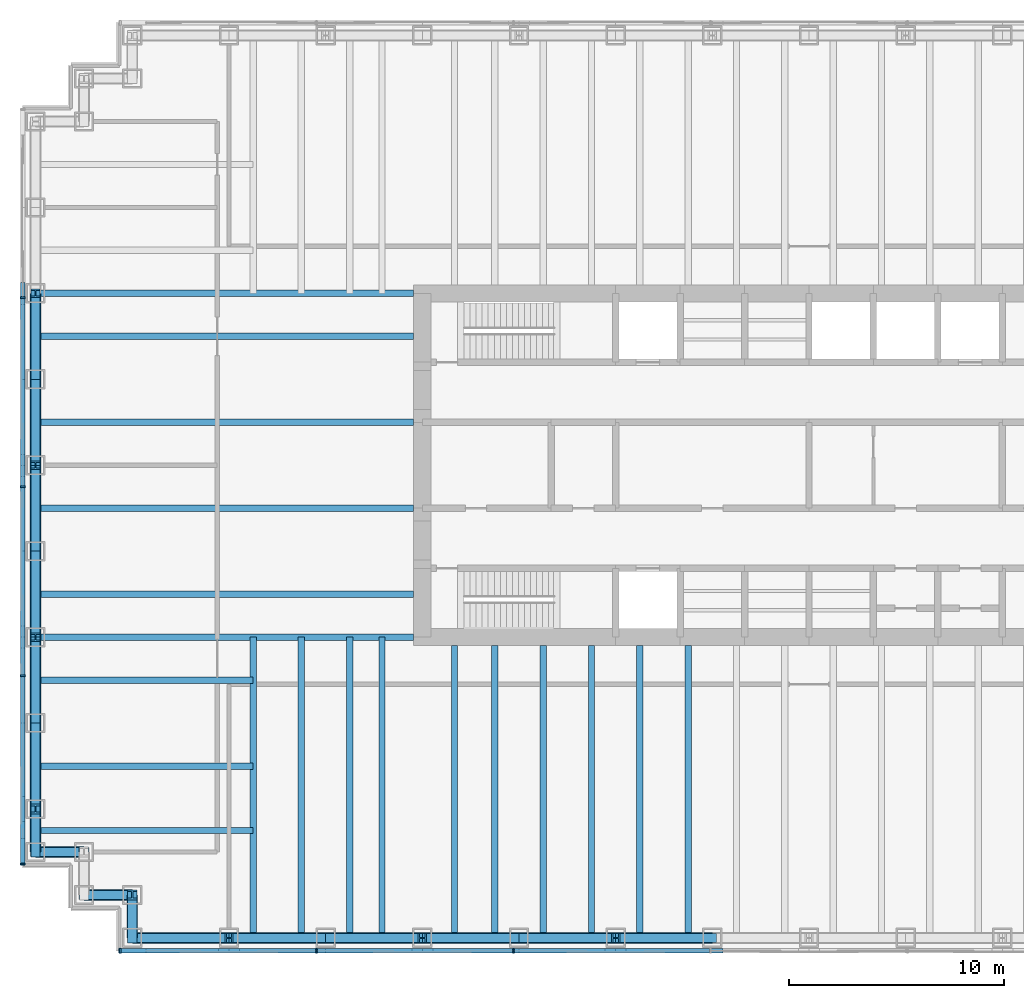
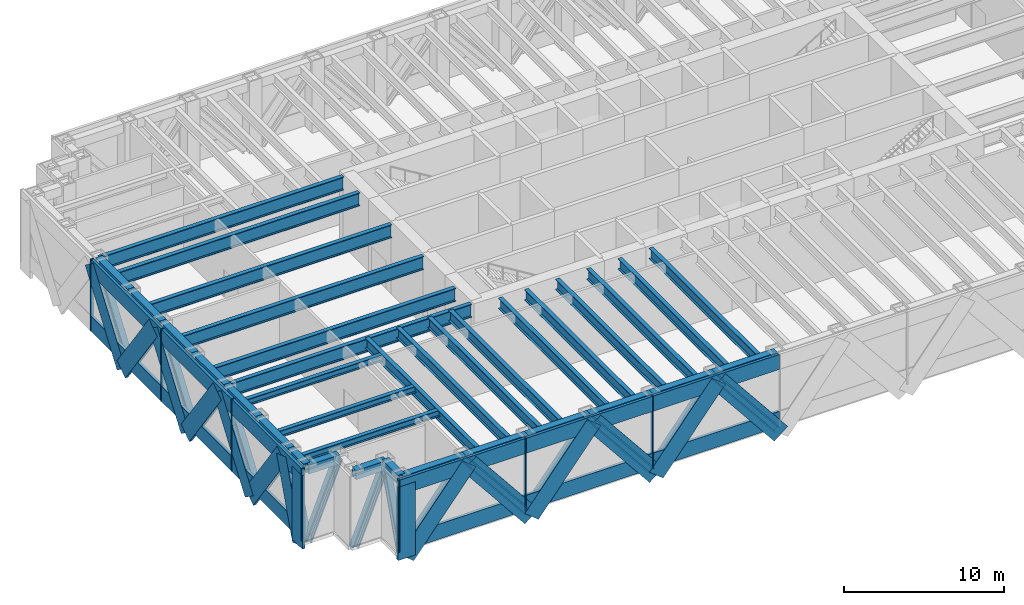
# One storey, part 2 of 17: 50 members, 35 beams, 2 elements without a shape of their own.
"""IFC4 building model written with IfcOpenShell, lengths in metres."""

from ifc_helpers import new_model, si_unit, direction, frame, origin, origin_2d, place, context, subcontext, project, spatial, rectangle, hollow_rectangle, i_section, extrude, material, material_profile, profile_set, type_object, element, aggregate, save


model = new_model("IFC4")

# Units and contexts
model_context = context("Model", 3, precision=1e-05, world=origin(), true_north=direction((0.0, 1.0)))
body_context = subcontext(model_context, "Body", "Model", "MODEL_VIEW")
ifc_project = project(units=[si_unit("LENGTHUNIT", "METRE"), si_unit("AREAUNIT", "SQUARE_METRE"), si_unit("VOLUMEUNIT", "CUBIC_METRE"), si_unit("PLANEANGLEUNIT", "RADIAN"), si_unit("MASSUNIT", "GRAM", prefix="KILO")], contexts=[model_context])

# Site, building, storey
site_placement = place(None, origin())
site = spatial("IfcSite", under=ifc_project, at=site_placement, CompositionType="ELEMENT")
building_placement = place(site_placement, origin())
building = spatial("IfcBuilding", under=site, at=building_placement, Name="Rheinbord Bourse Tower", CompositionType="ELEMENT")
storey_placement = place(building_placement, frame((0.0, 0.0, 265.60009765625)))
storey = spatial("IfcBuildingStorey", under=building, at=storey_placement, Name="L60", CompositionType="ELEMENT", Elevation=265.60009765625)

# Beams
ifc_material_1 = material(Name="Steel S460M", Category="steel")
ifc_material_profile_1 = material_profile(ifc_material_1, hollow_rectangle(XDim=0.5, YDim=0.699951171875, WallThickness=0.0400390625, at=origin_2d()), Name="BOX 700x500x40")
ifc_profile_set_1 = profile_set([ifc_material_profile_1], Name="Steel S460M")
beam_type_1 = type_object("IfcBeamType", Name="BELT CHORD BOX 700x500x40", PredefinedType="SPANDREL", material=ifc_profile_set_1)
for number, where, z_axis, x_axis, name in (
    (1, (4.5, 2.0, 4.989990234375), (1.0, 0.0, 0.0), (0.0, 1.0, 0.0), "Spandrel SW-E-S-9 under L61"),
    (2, (9.0, 2.0, 4.989990234375), (1.0, 0.0, 0.0), (0.0, 1.0, 0.0), "Spandrel S-9-S-13.5 under L61"),
    (3, (13.5, 2.0, 4.989990234375), (1.0, 0.0, 0.0), (0.0, 1.0, 0.0), "Spandrel S-13.5-S-18 under L61"),
    (4, (18.0, 2.0, 4.989990234375), (1.0, 0.0, 0.0), (0.0, 1.0, 0.0), "Spandrel S-18-S-22.5 under L61"),
    (5, (22.5, 2.0, 4.989990234375), (1.0, 0.0, 0.0), (0.0, 1.0, 0.0), "Spandrel S-22.5-S-27 under L61"),
    (6, (27.0, 2.0, 4.989990234375), (1.0, 0.0, 0.0), (0.0, 1.0, 0.0), "Spandrel S-27-S-31.5 under L61"),
):
    element("IfcBeam", number, at=place(storey_placement, frame(where, z_axis=z_axis, x_axis=x_axis)), inside=storey, type_object=beam_type_1, Name=name, PredefinedType="SPANDREL", context=body_context, shape_type="SweptSolid", body=[
        extrude(hollow_rectangle(XDim=0.5, YDim=0.699951171875, WallThickness=0.0400390625, at=origin_2d()), origin(), (0.0, 0.0, 1.0), 4.5),
    ])
for number, where, z_axis, x_axis, name in (
    (7, (0.0, 32.0, 4.989990234375), (0.0, -1.0, 0.0), (1.0, 0.0, 0.0), "Spandrel W-32-W-28 under L61"),
    (8, (0.0, 28.0, 4.989990234375), (0.0, -1.0, 0.0), (1.0, 0.0, 0.0), "Spandrel W-28-W-24 under L61"),
    (9, (0.0, 24.0, 4.989990234375), (0.0, -1.0, 0.0), (1.0, 0.0, 0.0), "Spandrel W-24-W-20 under L61"),
    (10, (0.0, 20.0, 4.989990234375), (0.0, -1.0, 0.0), (1.0, 0.0, 0.0), "Spandrel W-20-W-16 under L61"),
    (11, (0.0, 16.0, 4.989990234375), (0.0, -1.0, 0.0), (1.0, 0.0, 0.0), "Spandrel W-16-W-12 under L61"),
    (12, (0.0, 12.0, 4.989990234375), (0.0, -1.0, 0.0), (1.0, 0.0, 0.0), "Spandrel W-12-W-8 under L61"),
):
    element("IfcBeam", number, at=place(storey_placement, frame(where, z_axis=z_axis, x_axis=x_axis)), inside=storey, type_object=beam_type_1, Name=name, PredefinedType="SPANDREL", context=body_context, shape_type="SweptSolid", body=[
        extrude(hollow_rectangle(XDim=0.5, YDim=0.699951171875, WallThickness=0.0400390625, at=origin_2d()), origin(), (0.0, 0.0, 1.0), 4.0),
    ])
beam_1_placement = place(storey_placement, frame((0.0, 8.0, 4.989990234375), z_axis=(0.0, -1.0, 0.0), x_axis=(1.0, 0.0, 0.0)))
element("IfcBeam", 13, at=beam_1_placement, inside=storey, type_object=beam_type_1, Name="Spandrel W-8-SW-A under L61", PredefinedType="SPANDREL", context=body_context, shape_type="SweptSolid", body=[
    extrude(hollow_rectangle(XDim=0.5, YDim=0.699951171875, WallThickness=0.0400390625, at=origin_2d()), origin(), (0.0, 0.0, 1.0), 2.0),
])
for number, where, z_axis, x_axis, name in (
    (14, (0.0, 6.0, 4.989990234375), (1.0, 0.0, 0.0), (0.0, 1.0, 0.0), "Spandrel SW-A-SW-B under L61"),
    (15, (2.25, 4.0, 4.989990234375), (1.0, 0.0, 0.0), (0.0, 1.0, 0.0), "Spandrel SW-C-SW-D under L61"),
):
    element("IfcBeam", number, at=place(storey_placement, frame(where, z_axis=z_axis, x_axis=x_axis)), inside=storey, type_object=beam_type_1, Name=name, PredefinedType="SPANDREL", context=body_context, shape_type="SweptSolid", body=[
        extrude(hollow_rectangle(XDim=0.5, YDim=0.699951171875, WallThickness=0.0400390625, at=origin_2d()), origin(), (0.0, 0.0, 1.0), 2.25),
    ])
beam_2_placement = place(storey_placement, frame((4.5, 4.0, 4.989990234375), z_axis=(0.0, -1.0, 0.0), x_axis=(1.0, 0.0, 0.0)))
element("IfcBeam", 16, at=beam_2_placement, inside=storey, type_object=beam_type_1, Name="Spandrel SW-D-SW-E under L61", PredefinedType="SPANDREL", context=body_context, shape_type="SweptSolid", body=[
    extrude(hollow_rectangle(XDim=0.5, YDim=0.699951171875, WallThickness=0.0400390625, at=origin_2d()), origin(), (0.0, 0.0, 1.0), 2.0),
])

# Members
ifc_material_2 = material(Name="Steel S460", Category="steel")
ifc_material_profile_2 = material_profile(ifc_material_2, i_section(OverallWidth=0.431884765625, OverallDepth=0.498046875, WebThickness=0.0556640625, FlangeThickness=0.0888671875, at=origin_2d()), Name="HD 400x744")
ifc_profile_set_2 = profile_set([ifc_material_profile_2], Name="Steel S460")
member_type_1 = type_object("IfcMemberType", Name="BELT DIAGONAL HD 400x744", PredefinedType="STRUT", material=ifc_profile_set_2)
for number, where, z_axis, x_axis, name in (
    (17, (4.5, 2.0, -0.60009765625), (0.627065297878, 0.0, 0.778966695178), (0.0, 1.0, 0.0), "Belt truss diagonal SW-E-S-9 L60"),
    (18, (13.5, 2.0, -0.60009765625), (-0.627065297878, 0.0, 0.778966695178), (0.0, -1.0, 0.0), "Belt truss diagonal S-9-S-13.5 L60"),
    (19, (13.5, 2.0, -0.60009765625), (0.627065297878, 0.0, 0.778966695178), (0.0, 1.0, 0.0), "Belt truss diagonal S-13.5-S-18 L60"),
    (20, (22.5, 2.0, -0.60009765625), (-0.627065297878, 0.0, 0.778966695178), (0.0, -1.0, 0.0), "Belt truss diagonal S-18-S-22.5 L60"),
    (21, (22.5, 2.0, -0.60009765625), (0.627065297878, 0.0, 0.778966695178), (0.0, 1.0, 0.0), "Belt truss diagonal S-22.5-S-27 L60"),
    (22, (31.5, 2.0, -0.60009765625), (-0.627065297878, 0.0, 0.778966695178), (0.0, -1.0, 0.0), "Belt truss diagonal S-27-S-31.5 L60"),
):
    element("IfcMember", number, at=place(storey_placement, frame(where, z_axis=z_axis, x_axis=x_axis)), inside=storey, type_object=member_type_1, Name=name, PredefinedType="STRUT", context=body_context, shape_type="SweptSolid", body=[
        extrude(i_section(OverallWidth=0.431884765625, OverallDepth=0.498046875, WebThickness=0.0556640625, FlangeThickness=0.0888671875, at=origin_2d()), origin(), (0.0, 0.0, 1.0), 7.17626953125),
    ])
for number, where, z_axis, x_axis, name in (
    (23, (0.0, 28.0, -0.60009765625), (0.0, 0.581920023079, 0.813246018582), (-1.0, 0.0, 0.0), "Belt truss diagonal W-32-W-28 L60"),
    (24, (0.0, 28.0, -0.60009765625), (0.0, -0.581920023079, 0.813246018582), (1.0, 0.0, 0.0), "Belt truss diagonal W-28-W-24 L60"),
    (25, (0.0, 20.0, -0.60009765625), (0.0, 0.581920023079, 0.813246018582), (-1.0, 0.0, 0.0), "Belt truss diagonal W-24-W-20 L60"),
    (26, (0.0, 20.0, -0.60009765625), (0.0, -0.581920023079, 0.813246018582), (1.0, 0.0, 0.0), "Belt truss diagonal W-20-W-16 L60"),
    (27, (0.0, 12.0, -0.60009765625), (0.0, 0.581920023079, 0.813246018582), (-1.0, 0.0, 0.0), "Belt truss diagonal W-16-W-12 L60"),
    (28, (0.0, 12.0, -0.60009765625), (0.0, -0.581920023079, 0.813246018582), (1.0, 0.0, 0.0), "Belt truss diagonal W-12-W-8 L60"),
):
    element("IfcMember", number, at=place(storey_placement, frame(where, z_axis=z_axis, x_axis=x_axis)), inside=storey, type_object=member_type_1, Name=name, PredefinedType="STRUT", context=body_context, shape_type="SweptSolid", body=[
        extrude(i_section(OverallWidth=0.431884765625, OverallDepth=0.498046875, WebThickness=0.0556640625, FlangeThickness=0.0888671875, at=origin_2d()), origin(), (0.0, 0.0, 1.0), 6.873779296875),
    ])
member_1_placement = place(storey_placement, frame((0.0, 6.0, -0.60009765625), z_axis=(0.0, 0.336865151883, 0.941552903159), x_axis=(-1.0, 0.0, 0.0)))
element("IfcMember", 29, at=member_1_placement, inside=storey, type_object=member_type_1, Name="Belt truss diagonal W-8-SW-A L60", PredefinedType="STRUT", context=body_context, shape_type="SweptSolid", body=[
    extrude(i_section(OverallWidth=0.431884765625, OverallDepth=0.498046875, WebThickness=0.0556640625, FlangeThickness=0.0888671875, at=origin_2d()), origin(), (0.0, 0.0, 1.0), 5.93701171875),
])
for number, where, z_axis, x_axis, name in (
    (30, (0.0, 6.0, -0.60009765625), (0.37338763268, 0.0, 0.92767541509), (0.0, 1.0, 0.0), "Belt truss diagonal SW-A-SW-B L60"),
    (31, (2.25, 4.0, -0.60009765625), (0.37338763268, 0.0, 0.92767541509), (0.0, 1.0, 0.0), "Belt truss diagonal SW-C-SW-D L60"),
):
    element("IfcMember", number, at=place(storey_placement, frame(where, z_axis=z_axis, x_axis=x_axis)), inside=storey, type_object=member_type_1, Name=name, PredefinedType="STRUT", context=body_context, shape_type="SweptSolid", body=[
        extrude(i_section(OverallWidth=0.431884765625, OverallDepth=0.498046875, WebThickness=0.0556640625, FlangeThickness=0.0888671875, at=origin_2d()), origin(), (0.0, 0.0, 1.0), 6.02587890625),
    ])
member_2_placement = place(storey_placement, frame((4.5, 2.0, -0.60009765625), z_axis=(0.0, 0.336865151883, 0.941552903159), x_axis=(-1.0, 0.0, 0.0)))
element("IfcMember", 32, at=member_2_placement, inside=storey, type_object=member_type_1, Name="Belt truss diagonal SW-D-SW-E L60", PredefinedType="STRUT", context=body_context, shape_type="SweptSolid", body=[
    extrude(i_section(OverallWidth=0.431884765625, OverallDepth=0.498046875, WebThickness=0.0556640625, FlangeThickness=0.0888671875, at=origin_2d()), origin(), (0.0, 0.0, 1.0), 5.93701171875),
])

# Curtain wall, members
ifc_material_3 = material(Name="Dark glass and black aluminium", Category="aluminium")
curtain_wall_type = type_object("IfcCurtainWallType", Name="CW5 DARK GLASS CURTAIN WALL", PredefinedType="USERDEFINED", material=ifc_material_3)
curtain_wall_1_placement = place(storey_placement, origin())
curtain_wall_1 = element("IfcCurtainWall", 33, at=curtain_wall_1_placement, inside=storey, type_object=curtain_wall_type, Name="Curtain wall CW5 S L60", ObjectType="UNITISED CURTAIN WALL", PredefinedType="USERDEFINED")
ifc_material_4 = material(Name="Black anodised aluminium", Category="aluminium")
ifc_material_profile_3 = material_profile(ifc_material_4, rectangle(XDim=0.199951171875, YDim=1.259033203125, at=origin_2d()), Name="CW5 DIAGONAL MULLION 1259x200")
ifc_profile_set_3 = profile_set([ifc_material_profile_3], Name="Black anodised aluminium")
member_type_2 = type_object("IfcMemberType", Name="CW5 BLACK DIAGONAL MULLION", PredefinedType="USERDEFINED", material=ifc_profile_set_3)
member_3_placement = place(storey_placement, frame((4.5, 1.39990234375, -0.60009765625), z_axis=(0.627065297878, 0.0, 0.778966695178), x_axis=(0.0, 1.0, 0.0)))
member_3 = element("IfcMember", 34, at=member_3_placement, type_object=member_type_2, Name="CW5 diagonal mullion belt SW-E", ObjectType="DIAGONAL MULLION", PredefinedType="USERDEFINED", context=body_context, shape_type="SweptSolid", body=[
    extrude(rectangle(XDim=0.199951171875, YDim=1.259033203125, at=origin_2d()), origin(), (0.0, 0.0, 1.0), 7.17626953125),
])
member_4_placement = place(storey_placement, frame((13.5, 1.39990234375, -0.60009765625), z_axis=(-0.627065297878, 0.0, 0.778966695178), x_axis=(0.0, -1.0, 0.0)))
member_4 = element("IfcMember", 35, at=member_4_placement, type_object=member_type_2, Name="CW5 diagonal mullion belt S-9", ObjectType="DIAGONAL MULLION", PredefinedType="USERDEFINED", context=body_context, shape_type="SweptSolid", body=[
    extrude(rectangle(XDim=0.199951171875, YDim=1.259033203125, at=origin_2d()), origin(), (0.0, 0.0, 1.0), 7.17626953125),
])
member_5_placement = place(storey_placement, frame((13.5, 1.39990234375, -0.60009765625), z_axis=(0.627065297878, 0.0, 0.778966695178), x_axis=(0.0, 1.0, 0.0)))
member_5 = element("IfcMember", 36, at=member_5_placement, type_object=member_type_2, Name="CW5 diagonal mullion belt S-13.5", ObjectType="DIAGONAL MULLION", PredefinedType="USERDEFINED", context=body_context, shape_type="SweptSolid", body=[
    extrude(rectangle(XDim=0.199951171875, YDim=1.259033203125, at=origin_2d()), origin(), (0.0, 0.0, 1.0), 7.17626953125),
])
member_6_placement = place(storey_placement, frame((22.5, 1.39990234375, -0.60009765625), z_axis=(-0.627065297878, 0.0, 0.778966695178), x_axis=(0.0, -1.0, 0.0)))
member_6 = element("IfcMember", 37, at=member_6_placement, type_object=member_type_2, Name="CW5 diagonal mullion belt S-18", ObjectType="DIAGONAL MULLION", PredefinedType="USERDEFINED", context=body_context, shape_type="SweptSolid", body=[
    extrude(rectangle(XDim=0.199951171875, YDim=1.259033203125, at=origin_2d()), origin(), (0.0, 0.0, 1.0), 7.17626953125),
])
member_7_placement = place(storey_placement, frame((22.5, 1.39990234375, -0.60009765625), z_axis=(0.627065297878, 0.0, 0.778966695178), x_axis=(0.0, 1.0, 0.0)))
member_7 = element("IfcMember", 38, at=member_7_placement, type_object=member_type_2, Name="CW5 diagonal mullion belt S-22.5", ObjectType="DIAGONAL MULLION", PredefinedType="USERDEFINED", context=body_context, shape_type="SweptSolid", body=[
    extrude(rectangle(XDim=0.199951171875, YDim=1.259033203125, at=origin_2d()), origin(), (0.0, 0.0, 1.0), 7.17626953125),
])
member_8_placement = place(storey_placement, frame((31.5, 1.39990234375, -0.60009765625), z_axis=(-0.627065297878, 0.0, 0.778966695178), x_axis=(0.0, -1.0, 0.0)))
member_8 = element("IfcMember", 39, at=member_8_placement, type_object=member_type_2, Name="CW5 diagonal mullion belt S-27", ObjectType="DIAGONAL MULLION", PredefinedType="USERDEFINED", context=body_context, shape_type="SweptSolid", body=[
    extrude(rectangle(XDim=0.199951171875, YDim=1.259033203125, at=origin_2d()), origin(), (0.0, 0.0, 1.0), 7.17626953125),
])
member_9_placement = place(storey_placement, frame((4.5, 1.39990234375, -0.60009765625), z_axis=(0.0, 0.0, 1.0), x_axis=(0.0, 1.0, 0.0)))
member_9 = element("IfcMember", 40, at=member_9_placement, type_object=member_type_2, Name="CW5 diagonal mullion belt SW-D", ObjectType="DIAGONAL MULLION", PredefinedType="USERDEFINED", context=body_context, shape_type="SweptSolid", body=[
    extrude(rectangle(XDim=0.199951171875, YDim=1.259033203125, at=origin_2d()), origin(), (0.0, 0.0, 1.0), 5.590087890625),
])

curtain_wall_2_placement = place(storey_placement, origin())
curtain_wall_2 = element("IfcCurtainWall", 41, at=curtain_wall_2_placement, inside=storey, type_object=curtain_wall_type, Name="Curtain wall CW5 W L60", ObjectType="UNITISED CURTAIN WALL", PredefinedType="USERDEFINED")
member_10_placement = place(storey_placement, frame((-0.60009765625, 28.0, -0.60009765625), z_axis=(0.0, 0.581920023079, 0.813246018582), x_axis=(-1.0, 0.0, 0.0)))
member_10 = element("IfcMember", 42, at=member_10_placement, type_object=member_type_2, Name="CW5 diagonal mullion belt W-32", ObjectType="DIAGONAL MULLION", PredefinedType="USERDEFINED", context=body_context, shape_type="SweptSolid", body=[
    extrude(rectangle(XDim=0.199951171875, YDim=1.259033203125, at=origin_2d()), origin(), (0.0, 0.0, 1.0), 6.873779296875),
])
member_11_placement = place(storey_placement, frame((-0.60009765625, 28.0, -0.60009765625), z_axis=(0.0, -0.581920023079, 0.813246018582), x_axis=(1.0, 0.0, 0.0)))
member_11 = element("IfcMember", 43, at=member_11_placement, type_object=member_type_2, Name="CW5 diagonal mullion belt W-28", ObjectType="DIAGONAL MULLION", PredefinedType="USERDEFINED", context=body_context, shape_type="SweptSolid", body=[
    extrude(rectangle(XDim=0.199951171875, YDim=1.259033203125, at=origin_2d()), origin(), (0.0, 0.0, 1.0), 6.873779296875),
])
member_12_placement = place(storey_placement, frame((-0.60009765625, 20.0, -0.60009765625), z_axis=(0.0, 0.581920023079, 0.813246018582), x_axis=(-1.0, 0.0, 0.0)))
member_12 = element("IfcMember", 44, at=member_12_placement, type_object=member_type_2, Name="CW5 diagonal mullion belt W-24", ObjectType="DIAGONAL MULLION", PredefinedType="USERDEFINED", context=body_context, shape_type="SweptSolid", body=[
    extrude(rectangle(XDim=0.199951171875, YDim=1.259033203125, at=origin_2d()), origin(), (0.0, 0.0, 1.0), 6.873779296875),
])
member_13_placement = place(storey_placement, frame((-0.60009765625, 20.0, -0.60009765625), z_axis=(0.0, -0.581920023079, 0.813246018582), x_axis=(1.0, 0.0, 0.0)))
member_13 = element("IfcMember", 45, at=member_13_placement, type_object=member_type_2, Name="CW5 diagonal mullion belt W-20", ObjectType="DIAGONAL MULLION", PredefinedType="USERDEFINED", context=body_context, shape_type="SweptSolid", body=[
    extrude(rectangle(XDim=0.199951171875, YDim=1.259033203125, at=origin_2d()), origin(), (0.0, 0.0, 1.0), 6.873779296875),
])
member_14_placement = place(storey_placement, frame((-0.60009765625, 12.0, -0.60009765625), z_axis=(0.0, 0.581920023079, 0.813246018582), x_axis=(-1.0, 0.0, 0.0)))
member_14 = element("IfcMember", 46, at=member_14_placement, type_object=member_type_2, Name="CW5 diagonal mullion belt W-16", ObjectType="DIAGONAL MULLION", PredefinedType="USERDEFINED", context=body_context, shape_type="SweptSolid", body=[
    extrude(rectangle(XDim=0.199951171875, YDim=1.259033203125, at=origin_2d()), origin(), (0.0, 0.0, 1.0), 6.873779296875),
])
member_15_placement = place(storey_placement, frame((-0.60009765625, 12.0, -0.60009765625), z_axis=(0.0, -0.581920023079, 0.813246018582), x_axis=(1.0, 0.0, 0.0)))
member_15 = element("IfcMember", 47, at=member_15_placement, type_object=member_type_2, Name="CW5 diagonal mullion belt W-12", ObjectType="DIAGONAL MULLION", PredefinedType="USERDEFINED", context=body_context, shape_type="SweptSolid", body=[
    extrude(rectangle(XDim=0.199951171875, YDim=1.259033203125, at=origin_2d()), origin(), (0.0, 0.0, 1.0), 6.873779296875),
])
member_16_placement = place(storey_placement, frame((-0.60009765625, 6.0, -0.60009765625), z_axis=(0.0, 0.336865151883, 0.941552903159), x_axis=(-1.0, 0.0, 0.0)))
member_16 = element("IfcMember", 48, at=member_16_placement, type_object=member_type_2, Name="CW5 diagonal mullion belt W-8", ObjectType="DIAGONAL MULLION", PredefinedType="USERDEFINED", context=body_context, shape_type="SweptSolid", body=[
    extrude(rectangle(XDim=0.199951171875, YDim=1.259033203125, at=origin_2d()), origin(), (0.0, 0.0, 1.0), 5.93701171875),
])
member_17_placement = place(storey_placement, frame((-0.60009765625, 6.0, -0.60009765625), z_axis=(0.0, 0.0, 1.0), x_axis=(1.0, 0.0, 0.0)))
member_17 = element("IfcMember", 49, at=member_17_placement, type_object=member_type_2, Name="CW5 diagonal mullion belt SW-A", ObjectType="DIAGONAL MULLION", PredefinedType="USERDEFINED", context=body_context, shape_type="SweptSolid", body=[
    extrude(rectangle(XDim=0.199951171875, YDim=1.259033203125, at=origin_2d()), origin(), (0.0, 0.0, 1.0), 5.590087890625),
])

# Member
ifc_material_5 = material(Name="Black anodised aluminium", Category="aluminium")
ifc_material_profile_4 = material_profile(ifc_material_5, rectangle(XDim=0.25, YDim=0.080078125, at=origin_2d()), Name="CW5 MULLION 80x250")
ifc_profile_set_4 = profile_set([ifc_material_profile_4], Name="Black anodised aluminium")
member_type_3 = type_object("IfcMemberType", Name="CW5 BLACK MULLION", PredefinedType="MULLION", material=ifc_profile_set_4)
member_18_placement = place(storey_placement, frame((3.93994140625, 1.39990234375, 0.0), z_axis=(0.0, 0.0, 1.0), x_axis=(0.0, 1.0, 0.0)))
member_18 = element("IfcMember", 50, at=member_18_placement, type_object=member_type_3, Name="CW5 mullion 1", PredefinedType="MULLION", context=body_context, shape_type="SweptSolid", body=[
    extrude(rectangle(XDim=0.25, YDim=0.080078125, at=origin_2d()), origin(), (0.0, 0.0, 1.0), 5.5),
])

member_19_placement = place(storey_placement, frame((13.071533203125, 1.39990234375, 0.0), z_axis=(0.0, 0.0, 1.0), x_axis=(0.0, 1.0, 0.0)))
member_19 = element("IfcMember", 51, at=member_19_placement, type_object=member_type_3, Name="CW5 mullion 2", PredefinedType="MULLION", context=body_context, shape_type="SweptSolid", body=[
    extrude(rectangle(XDim=0.25, YDim=0.080078125, at=origin_2d()), origin(), (0.0, 0.0, 1.0), 5.5),
])

member_20_placement = place(storey_placement, frame((22.242919921875, 1.39990234375, 0.0), z_axis=(0.0, 0.0, 1.0), x_axis=(0.0, 1.0, 0.0)))
member_20 = element("IfcMember", 52, at=member_20_placement, type_object=member_type_3, Name="CW5 mullion 3", PredefinedType="MULLION", context=body_context, shape_type="SweptSolid", body=[
    extrude(rectangle(XDim=0.25, YDim=0.080078125, at=origin_2d()), origin(), (0.0, 0.0, 1.0), 5.5),
])

member_21_placement = place(storey_placement, frame((-0.60009765625, 31.800048828125, 0.0), z_axis=(0.0, 0.0, 1.0), x_axis=(1.0, 0.0, 0.0)))
member_21 = element("IfcMember", 53, at=member_21_placement, type_object=member_type_3, Name="CW5 mullion 2", PredefinedType="MULLION", context=body_context, shape_type="SweptSolid", body=[
    extrude(rectangle(XDim=0.25, YDim=0.080078125, at=origin_2d()), origin(), (0.0, 0.0, 1.0), 5.5),
])

member_22_placement = place(storey_placement, frame((-0.60009765625, 23.0, 0.0), z_axis=(0.0, 0.0, 1.0), x_axis=(1.0, 0.0, 0.0)))
member_22 = element("IfcMember", 54, at=member_22_placement, type_object=member_type_3, Name="CW5 mullion 3", PredefinedType="MULLION", context=body_context, shape_type="SweptSolid", body=[
    extrude(rectangle(XDim=0.25, YDim=0.080078125, at=origin_2d()), origin(), (0.0, 0.0, 1.0), 5.5),
])

member_23_placement = place(storey_placement, frame((-0.60009765625, 14.199951171875, 0.0), z_axis=(0.0, 0.0, 1.0), x_axis=(1.0, 0.0, 0.0)))
member_23 = element("IfcMember", 55, at=member_23_placement, type_object=member_type_3, Name="CW5 mullion 4", PredefinedType="MULLION", context=body_context, shape_type="SweptSolid", body=[
    extrude(rectangle(XDim=0.25, YDim=0.080078125, at=origin_2d()), origin(), (0.0, 0.0, 1.0), 5.5),
])

member_24_placement = place(storey_placement, frame((-0.60009765625, 5.43994140625, 0.0), z_axis=(0.0, 0.0, 1.0), x_axis=(1.0, 0.0, 0.0)))
member_24 = element("IfcMember", 56, at=member_24_placement, type_object=member_type_3, Name="CW5 mullion 5", PredefinedType="MULLION", context=body_context, shape_type="SweptSolid", body=[
    extrude(rectangle(XDim=0.25, YDim=0.080078125, at=origin_2d()), origin(), (0.0, 0.0, 1.0), 5.5),
])

ifc_material_6 = material(Name="Black anodised aluminium", Category="aluminium")
ifc_material_profile_5 = material_profile(ifc_material_6, rectangle(XDim=0.199951171875, YDim=1.14990234375, at=origin_2d()), Name="CW5 TRANSOM 1150x200")
ifc_profile_set_5 = profile_set([ifc_material_profile_5], Name="Black anodised aluminium")
member_type_4 = type_object("IfcMemberType", Name="CW5 BLACK TRANSOM", PredefinedType="USERDEFINED", material=ifc_profile_set_5)
member_25_placement = place(storey_placement, frame((3.97998046875, 1.39990234375, 0.574951171875), z_axis=(1.0, 0.0, 0.0), x_axis=(0.0, 1.0, 0.0)))
member_25 = element("IfcMember", 57, at=member_25_placement, type_object=member_type_4, Name="CW5 transom 1.1", ObjectType="TRANSOM", PredefinedType="USERDEFINED", context=body_context, shape_type="SweptSolid", body=[
    extrude(rectangle(XDim=0.199951171875, YDim=1.14990234375, at=origin_2d()), origin(), (0.0, 0.0, 1.0), 9.051513671875),
])

member_26_placement = place(storey_placement, frame((3.97998046875, 1.39990234375, 4.9248046875), z_axis=(1.0, 0.0, 0.0), x_axis=(0.0, 1.0, 0.0)))
member_26 = element("IfcMember", 58, at=member_26_placement, type_object=member_type_4, Name="CW5 transom 1.2", ObjectType="TRANSOM", PredefinedType="USERDEFINED", context=body_context, shape_type="SweptSolid", body=[
    extrude(rectangle(XDim=0.199951171875, YDim=1.14990234375, at=origin_2d()), origin(), (0.0, 0.0, 1.0), 9.051513671875),
])

member_27_placement = place(storey_placement, frame((13.111328125, 1.39990234375, 0.574951171875), z_axis=(1.0, 0.0, 0.0), x_axis=(0.0, 1.0, 0.0)))
member_27 = element("IfcMember", 59, at=member_27_placement, type_object=member_type_4, Name="CW5 transom 2.1", ObjectType="TRANSOM", PredefinedType="USERDEFINED", context=body_context, shape_type="SweptSolid", body=[
    extrude(rectangle(XDim=0.199951171875, YDim=1.14990234375, at=origin_2d()), origin(), (0.0, 0.0, 1.0), 9.091552734375),
])

member_28_placement = place(storey_placement, frame((13.111328125, 1.39990234375, 4.9248046875), z_axis=(1.0, 0.0, 0.0), x_axis=(0.0, 1.0, 0.0)))
member_28 = element("IfcMember", 60, at=member_28_placement, type_object=member_type_4, Name="CW5 transom 2.2", ObjectType="TRANSOM", PredefinedType="USERDEFINED", context=body_context, shape_type="SweptSolid", body=[
    extrude(rectangle(XDim=0.199951171875, YDim=1.14990234375, at=origin_2d()), origin(), (0.0, 0.0, 1.0), 9.091552734375),
])

member_29_placement = place(storey_placement, frame((22.282958984375, 1.39990234375, 0.574951171875), z_axis=(1.0, 0.0, 0.0), x_axis=(0.0, 1.0, 0.0)))
member_29 = element("IfcMember", 61, at=member_29_placement, type_object=member_type_4, Name="CW5 transom 3.1", ObjectType="TRANSOM", PredefinedType="USERDEFINED", context=body_context, shape_type="SweptSolid", body=[
    extrude(rectangle(XDim=0.199951171875, YDim=1.14990234375, at=origin_2d()), origin(), (0.0, 0.0, 1.0), 9.09130859375),
])

member_30_placement = place(storey_placement, frame((22.282958984375, 1.39990234375, 4.9248046875), z_axis=(1.0, 0.0, 0.0), x_axis=(0.0, 1.0, 0.0)))
member_30 = element("IfcMember", 62, at=member_30_placement, type_object=member_type_4, Name="CW5 transom 3.2", ObjectType="TRANSOM", PredefinedType="USERDEFINED", context=body_context, shape_type="SweptSolid", body=[
    extrude(rectangle(XDim=0.199951171875, YDim=1.14990234375, at=origin_2d()), origin(), (0.0, 0.0, 1.0), 9.09130859375),
])

aggregate(curtain_wall_1, [member_18, member_19, member_20, member_25, member_26, member_27, member_28, member_29, member_30, member_3, member_4, member_5, member_6, member_7, member_8, member_9])

member_31_placement = place(storey_placement, frame((-0.60009765625, 31.760009765625, 0.574951171875), z_axis=(0.0, -1.0, 0.0), x_axis=(1.0, 0.0, 0.0)))
member_31 = element("IfcMember", 63, at=member_31_placement, type_object=member_type_4, Name="CW5 transom 2.1", ObjectType="TRANSOM", PredefinedType="USERDEFINED", context=body_context, shape_type="SweptSolid", body=[
    extrude(rectangle(XDim=0.199951171875, YDim=1.14990234375, at=origin_2d()), origin(), (0.0, 0.0, 1.0), 8.719970703125),
])

member_32_placement = place(storey_placement, frame((-0.60009765625, 31.760009765625, 4.9248046875), z_axis=(0.0, -1.0, 0.0), x_axis=(1.0, 0.0, 0.0)))
member_32 = element("IfcMember", 64, at=member_32_placement, type_object=member_type_4, Name="CW5 transom 2.2", ObjectType="TRANSOM", PredefinedType="USERDEFINED", context=body_context, shape_type="SweptSolid", body=[
    extrude(rectangle(XDim=0.199951171875, YDim=1.14990234375, at=origin_2d()), origin(), (0.0, 0.0, 1.0), 8.719970703125),
])

member_33_placement = place(storey_placement, frame((-0.60009765625, 22.9599609375, 0.574951171875), z_axis=(0.0, -1.0, 0.0), x_axis=(1.0, 0.0, 0.0)))
member_33 = element("IfcMember", 65, at=member_33_placement, type_object=member_type_4, Name="CW5 transom 3.1", ObjectType="TRANSOM", PredefinedType="USERDEFINED", context=body_context, shape_type="SweptSolid", body=[
    extrude(rectangle(XDim=0.199951171875, YDim=1.14990234375, at=origin_2d()), origin(), (0.0, 0.0, 1.0), 8.719970703125),
])

member_34_placement = place(storey_placement, frame((-0.60009765625, 22.9599609375, 4.9248046875), z_axis=(0.0, -1.0, 0.0), x_axis=(1.0, 0.0, 0.0)))
member_34 = element("IfcMember", 66, at=member_34_placement, type_object=member_type_4, Name="CW5 transom 3.2", ObjectType="TRANSOM", PredefinedType="USERDEFINED", context=body_context, shape_type="SweptSolid", body=[
    extrude(rectangle(XDim=0.199951171875, YDim=1.14990234375, at=origin_2d()), origin(), (0.0, 0.0, 1.0), 8.719970703125),
])

member_35_placement = place(storey_placement, frame((-0.60009765625, 14.159912109375, 0.574951171875), z_axis=(0.0, -1.0, 0.0), x_axis=(1.0, 0.0, 0.0)))
member_35 = element("IfcMember", 67, at=member_35_placement, type_object=member_type_4, Name="CW5 transom 4.1", ObjectType="TRANSOM", PredefinedType="USERDEFINED", context=body_context, shape_type="SweptSolid", body=[
    extrude(rectangle(XDim=0.199951171875, YDim=1.14990234375, at=origin_2d()), origin(), (0.0, 0.0, 1.0), 8.679931640625),
])

member_36_placement = place(storey_placement, frame((-0.60009765625, 14.159912109375, 4.9248046875), z_axis=(0.0, -1.0, 0.0), x_axis=(1.0, 0.0, 0.0)))
member_36 = element("IfcMember", 68, at=member_36_placement, type_object=member_type_4, Name="CW5 transom 4.2", ObjectType="TRANSOM", PredefinedType="USERDEFINED", context=body_context, shape_type="SweptSolid", body=[
    extrude(rectangle(XDim=0.199951171875, YDim=1.14990234375, at=origin_2d()), origin(), (0.0, 0.0, 1.0), 8.679931640625),
])

aggregate(curtain_wall_2, [member_21, member_22, member_23, member_24, member_31, member_32, member_33, member_34, member_35, member_36, member_10, member_11, member_12, member_13, member_14, member_15, member_16, member_17])

# Beams
ifc_material_7 = material(Name="Steel S460", Category="steel")
ifc_material_profile_6 = material_profile(ifc_material_7, i_section(OverallWidth=0.302001953125, OverallDepth=1.008056640625, WebThickness=0.02099609375, FlangeThickness=0.0400390625, at=origin_2d()), Name="HEM 1000")
ifc_profile_set_6 = profile_set([ifc_material_profile_6], Name="Steel S460")
beam_type_2 = type_object("IfcBeamType", Name="END BEAM HEM 1000", PredefinedType="BEAM", material=ifc_profile_set_6)
for number, where, z_axis, x_axis, name in (
    (69, (0.0, 18.0, 4.8359375), (1.0, 0.0, 0.0), (0.0, 1.0, 0.0), "End beam west 18 L61"),
    (70, (0.0, 22.0, 4.8359375), (1.0, 0.0, 0.0), (0.0, 1.0, 0.0), "End beam west 22 L61"),
    (71, (0.0, 26.0, 4.8359375), (1.0, 0.0, 0.0), (0.0, 1.0, 0.0), "End beam west 26 L61"),
    (72, (0.0, 30.0, 4.8359375), (1.0, 0.0, 0.0), (0.0, 1.0, 0.0), "End beam west 30 L61"),
):
    element("IfcBeam", number, at=place(storey_placement, frame(where, z_axis=z_axis, x_axis=x_axis)), inside=storey, type_object=beam_type_2, Name=name, PredefinedType="BEAM", context=body_context, shape_type="SweptSolid", body=[
        extrude(i_section(OverallWidth=0.302001953125, OverallDepth=1.008056640625, WebThickness=0.02099609375, FlangeThickness=0.0400390625, at=origin_2d()), origin(), (0.0, 0.0, 1.0), 17.60009765625),
    ])
ifc_material_8 = material(Name="Steel S460", Category="steel")
ifc_material_profile_7 = material_profile(ifc_material_8, i_section(OverallWidth=0.300048828125, OverallDepth=0.800048828125, WebThickness=0.017578125, FlangeThickness=0.032958984375, at=origin_2d()), Name="HEB 800")
ifc_profile_set_7 = profile_set([ifc_material_profile_7], Name="Steel S460")
beam_type_3 = type_object("IfcBeamType", Name="FLOOR BEAM HEB 800", PredefinedType="BEAM", material=ifc_profile_set_7)
for number, where, z_axis, x_axis, name in (
    (73, (10.125, 2.0, 4.93994140625), (0.0, 1.0, 0.0), (-1.0, 0.0, 0.0), "Floor beam S-9a L61"),
    (74, (12.375, 2.0, 4.93994140625), (0.0, 1.0, 0.0), (-1.0, 0.0, 0.0), "Floor beam S-9b L61"),
    (75, (14.625, 2.0, 4.93994140625), (0.0, 1.0, 0.0), (-1.0, 0.0, 0.0), "Floor beam S-13.5a L61"),
    (76, (16.125, 2.0, 4.93994140625), (0.0, 1.0, 0.0), (-1.0, 0.0, 0.0), "Floor beam S-13.5b L61"),
):
    element("IfcBeam", number, at=place(storey_placement, frame(where, z_axis=z_axis, x_axis=x_axis)), inside=storey, type_object=beam_type_3, Name=name, PredefinedType="BEAM", context=body_context, shape_type="SweptSolid", body=[
        extrude(i_section(OverallWidth=0.300048828125, OverallDepth=0.800048828125, WebThickness=0.017578125, FlangeThickness=0.032958984375, at=origin_2d()), origin(), (0.0, 0.0, 1.0), 14.0),
    ])
for number, where, z_axis, x_axis, name in (
    (77, (19.5, 2.0, 4.93994140625), (0.0, 1.0, 0.0), (-1.0, 0.0, 0.0), "Floor beam S-18a L61"),
    (78, (21.375, 2.0, 4.93994140625), (0.0, 1.0, 0.0), (-1.0, 0.0, 0.0), "Floor beam S-18b L61"),
    (79, (23.625, 2.0, 4.93994140625), (0.0, 1.0, 0.0), (-1.0, 0.0, 0.0), "Floor beam S-22.5a L61"),
    (80, (25.875, 2.0, 4.93994140625), (0.0, 1.0, 0.0), (-1.0, 0.0, 0.0), "Floor beam S-22.5b L61"),
    (81, (28.125, 2.0, 4.93994140625), (0.0, 1.0, 0.0), (-1.0, 0.0, 0.0), "Floor beam S-27a L61"),
    (82, (30.375, 2.0, 4.93994140625), (0.0, 1.0, 0.0), (-1.0, 0.0, 0.0), "Floor beam S-27b L61"),
):
    element("IfcBeam", number, at=place(storey_placement, frame(where, z_axis=z_axis, x_axis=x_axis)), inside=storey, type_object=beam_type_3, Name=name, PredefinedType="BEAM", context=body_context, shape_type="SweptSolid", body=[
        extrude(i_section(OverallWidth=0.300048828125, OverallDepth=0.800048828125, WebThickness=0.017578125, FlangeThickness=0.032958984375, at=origin_2d()), origin(), (0.0, 0.0, 1.0), 13.60009765625),
    ])
ifc_material_9 = material(Name="Steel S460", Category="steel")
ifc_material_profile_8 = material_profile(ifc_material_9, i_section(OverallWidth=0.302001953125, OverallDepth=1.008056640625, WebThickness=0.02099609375, FlangeThickness=0.0400390625, at=origin_2d()), Name="HEM 1000")
ifc_profile_set_8 = profile_set([ifc_material_profile_8], Name="Steel S460")
beam_type_4 = type_object("IfcBeamType", Name="GIRDER HEM 1000", PredefinedType="BEAM", material=ifc_profile_set_8)
for number, where, z_axis, x_axis, name in (
    (83, (0.0, 16.0, 4.8359375), (1.0, 0.0, 0.0), (0.0, 1.0, 0.0), "Girder west 16 L61"),
    (84, (0.0, 32.0, 4.8359375), (1.0, 0.0, 0.0), (0.0, 1.0, 0.0), "Girder west 32 L61"),
):
    element("IfcBeam", number, at=place(storey_placement, frame(where, z_axis=z_axis, x_axis=x_axis)), inside=storey, type_object=beam_type_4, Name=name, PredefinedType="BEAM", context=body_context, shape_type="SweptSolid", body=[
        extrude(i_section(OverallWidth=0.302001953125, OverallDepth=1.008056640625, WebThickness=0.02099609375, FlangeThickness=0.0400390625, at=origin_2d()), origin(), (0.0, 0.0, 1.0), 17.60009765625),
    ])
ifc_material_10 = material(Name="Steel S460", Category="steel")
ifc_material_profile_9 = material_profile(ifc_material_10, i_section(OverallWidth=0.300048828125, OverallDepth=0.5, WebThickness=0.014404296875, FlangeThickness=0.028076171875, at=origin_2d()), Name="HEB 500")
ifc_profile_set_9 = profile_set([ifc_material_profile_9], Name="Steel S460")
beam_type_5 = type_object("IfcBeamType", Name="TIE BEAM HEB 500", PredefinedType="JOIST", material=ifc_profile_set_9)
for number, where, z_axis, x_axis, name in (
    (85, (0.0, 7.0, 5.08984375), (1.0, 0.0, 0.0), (0.0, 1.0, 0.0), "Tie west 7 L61"),
    (86, (0.0, 10.0, 5.08984375), (1.0, 0.0, 0.0), (0.0, 1.0, 0.0), "Tie west 10 L61"),
    (87, (0.0, 14.0, 5.08984375), (1.0, 0.0, 0.0), (0.0, 1.0, 0.0), "Tie west 14 L61"),
):
    element("IfcBeam", number, at=place(storey_placement, frame(where, z_axis=z_axis, x_axis=x_axis)), inside=storey, type_object=beam_type_5, Name=name, PredefinedType="JOIST", context=body_context, shape_type="SweptSolid", body=[
        extrude(i_section(OverallWidth=0.300048828125, OverallDepth=0.5, WebThickness=0.014404296875, FlangeThickness=0.028076171875, at=origin_2d()), origin(), (0.0, 0.0, 1.0), 10.125),
    ])

save(model, "model.ifc")
